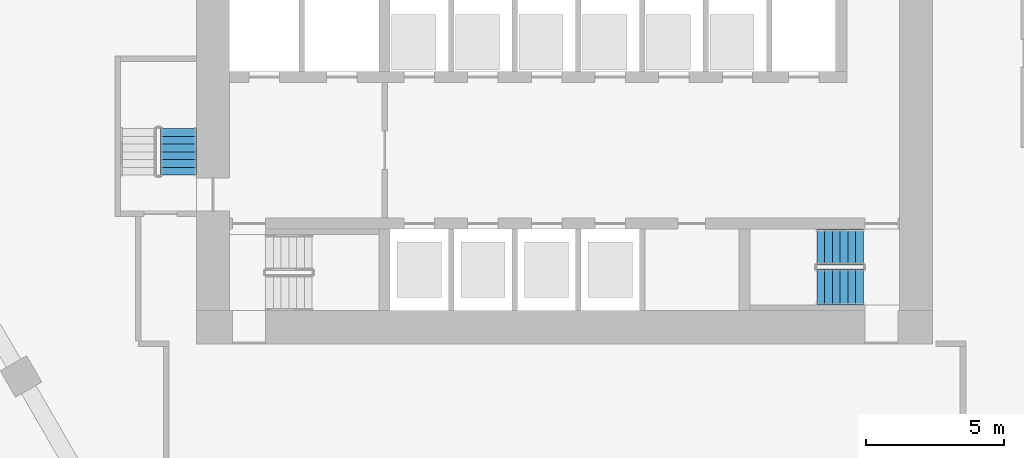
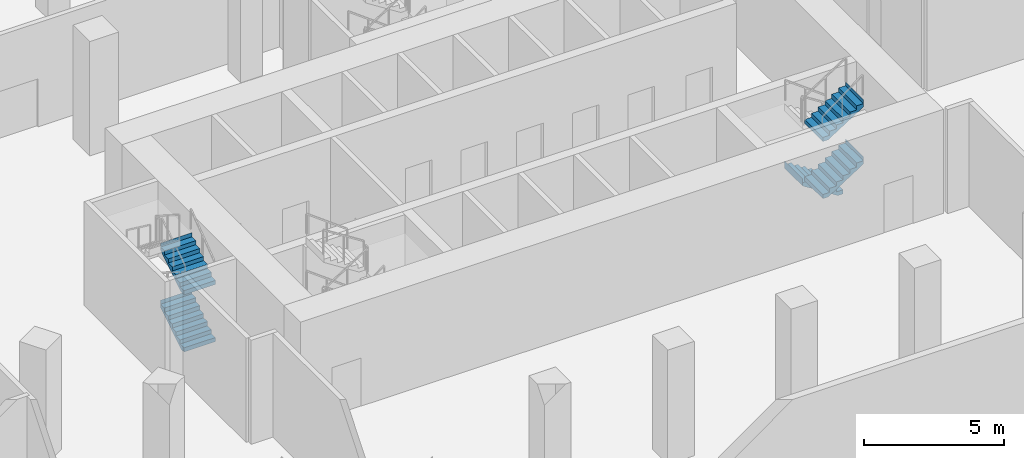
# One storey, part 42 of 57: 5 stair flights, 2 elements without a shape of their own.
"""IFC4 building model written with IfcOpenShell, lengths in metres."""

from ifc_helpers import new_model, si_unit, direction, frame, origin, place, context, subcontext, project, spatial, triangles, material, type_object, element, aggregate, save


model = new_model("IFC4")

# Units and contexts
model_context = context("Model", 3, precision=1e-05, world=origin(), true_north=direction((0.0, 1.0)))
body_context = subcontext(model_context, "Body", "Model", "MODEL_VIEW")
ifc_project = project(units=[si_unit("LENGTHUNIT", "METRE"), si_unit("AREAUNIT", "SQUARE_METRE"), si_unit("VOLUMEUNIT", "CUBIC_METRE"), si_unit("PLANEANGLEUNIT", "RADIAN"), si_unit("MASSUNIT", "GRAM", prefix="KILO")], contexts=[model_context])

# Site, building, storey
site_placement = place(None, origin())
site = spatial("IfcSite", under=ifc_project, at=site_placement, CompositionType="ELEMENT")
building_placement = place(site_placement, origin())
building = spatial("IfcBuilding", under=site, at=building_placement, Name="Beryl Residences", CompositionType="ELEMENT")
storey_placement = place(building_placement, origin())
storey = spatial("IfcBuildingStorey", under=building, at=storey_placement, Name="L00", CompositionType="ELEMENT", Elevation=0.0)

# Stair, stair flights
ifc_material_1 = material(Name="Concrete C40/50", Category="concrete")
stair_type = type_object("IfcStairType", Name="ST1 protected exit stair, half-turn, 1300 mm flights", PredefinedType="HALF_TURN_STAIR", material=ifc_material_1)
stair_1_placement = place(storey_placement, origin())
stair_1 = element("IfcStair", 1, at=stair_1_placement, inside=storey, type_object=stair_type, Name="L00 PROTECTED EXIT STAIR ST-2", PredefinedType="HALF_TURN_STAIR")
ifc_material_2 = material(Name="Concrete C40/50", Category="concrete")
stair_flight_type = type_object("IfcStairFlightType", Name="SF1 stair flight 1300 mm", PredefinedType="STRAIGHT", material=ifc_material_2)
stair_flight_1_placement = place(storey_placement, frame((-13.949951171875, -12.89990234375, 0.0), z_axis=(0.0, 0.0, 1.0), x_axis=(0.0, 1.0, 0.0)))
stair_flight_1 = element("IfcStairFlight", 2, at=stair_flight_1_placement, type_object=stair_flight_type, Name="ST-2 flight 1", NumberOfRisers=7, NumberOfTreads=6, PredefinedType="STRAIGHT", RiserHeight=0.178571429, TreadLength=0.28, context=body_context, shape_type="Tessellation", body=[
    triangles([(0.0, -0.64990234375, 0.0), (0.0, -0.324951171875, 0.0), (0.0, 0.0, 0.0), (0.0, 0.324951171875, 0.0), (0.0, 0.64990234375, 0.0), (0.0, -0.64990234375, 0.178466796875), (0.0, -0.324951171875, 0.178466796875), (0.0, 0.0, 0.178466796875), (0.0, 0.324951171875, 0.178466796875), (0.0, 0.64990234375, 0.178466796875), (0.280029296875, -0.64990234375, 0.178466796875), (0.280029296875, -0.324951171875, 0.178466796875), (0.280029296875, 0.0, 0.178466796875), (0.280029296875, 0.324951171875, 0.178466796875), (0.280029296875, 0.64990234375, 0.178466796875), (0.280029296875, -0.64990234375, 0.357177734375), (0.280029296875, -0.324951171875, 0.357177734375), (0.280029296875, 0.0, 0.357177734375), (0.280029296875, 0.324951171875, 0.357177734375), (0.280029296875, 0.64990234375, 0.357177734375), (0.56005859375, -0.64990234375, 0.357177734375), (0.56005859375, -0.324951171875, 0.357177734375), (0.56005859375, 0.0, 0.357177734375), (0.56005859375, 0.324951171875, 0.357177734375), (0.56005859375, 0.64990234375, 0.357177734375), (0.56005859375, -0.64990234375, 0.53564453125), (0.56005859375, -0.324951171875, 0.53564453125), (0.56005859375, 0.0, 0.53564453125), (0.56005859375, 0.324951171875, 0.53564453125), (0.56005859375, 0.64990234375, 0.53564453125), (0.840087890625, -0.64990234375, 0.53564453125), (0.840087890625, -0.324951171875, 0.53564453125), (0.840087890625, 0.0, 0.53564453125), (0.840087890625, 0.324951171875, 0.53564453125), (0.840087890625, 0.64990234375, 0.53564453125), (0.840087890625, -0.64990234375, 0.71435546875), (0.840087890625, -0.324951171875, 0.71435546875), (0.840087890625, 0.0, 0.71435546875), (0.840087890625, 0.324951171875, 0.71435546875), (0.840087890625, 0.64990234375, 0.71435546875), (1.1201171875, -0.64990234375, 0.71435546875), (1.1201171875, -0.324951171875, 0.71435546875), (1.1201171875, 0.0, 0.71435546875), (1.1201171875, 0.324951171875, 0.71435546875), (1.1201171875, 0.64990234375, 0.71435546875), (1.1201171875, -0.64990234375, 0.892822265625), (1.1201171875, -0.324951171875, 0.892822265625), (1.1201171875, 0.0, 0.892822265625), (1.1201171875, 0.324951171875, 0.892822265625), (1.1201171875, 0.64990234375, 0.892822265625), (1.39990234375, -0.64990234375, 0.892822265625), (1.39990234375, -0.324951171875, 0.892822265625), (1.39990234375, 0.0, 0.892822265625), (1.39990234375, 0.324951171875, 0.892822265625), (1.39990234375, 0.64990234375, 0.892822265625), (1.39990234375, -0.64990234375, 1.071533203125), (1.39990234375, -0.324951171875, 1.071533203125), (1.39990234375, 0.0, 1.071533203125), (1.39990234375, 0.324951171875, 1.071533203125), (1.39990234375, 0.64990234375, 1.071533203125), (1.679931640625, -0.64990234375, 1.071533203125), (1.679931640625, -0.324951171875, 1.071533203125), (1.679931640625, 0.0, 1.071533203125), (1.679931640625, 0.324951171875, 1.071533203125), (1.679931640625, 0.64990234375, 1.071533203125), (1.679931640625, -0.64990234375, 1.25), (1.679931640625, -0.324951171875, 1.25), (1.679931640625, 0.0, 1.25), (1.679931640625, 0.324951171875, 1.25), (1.679931640625, 0.64990234375, 1.25), (1.680908203125, -0.64990234375, 1.25), (1.680908203125, -0.324951171875, 1.25), (1.680908203125, 0.0, 1.25), (1.680908203125, 0.324951171875, 1.25), (1.680908203125, 0.64990234375, 1.25), (1.680908203125, -0.64990234375, 0.928955078125), (1.680908203125, -0.324951171875, 0.928955078125), (1.680908203125, 0.0, 0.928955078125), (1.680908203125, 0.324951171875, 0.928955078125), (1.680908203125, 0.64990234375, 0.928955078125), (0.224365234375, -0.64990234375, 0.0), (0.224365234375, -0.324951171875, 0.0), (0.224365234375, 0.0, 0.0), (0.224365234375, 0.324951171875, 0.0), (0.224365234375, 0.64990234375, 0.0)], [[1, 6, 7], [1, 7, 2], [2, 7, 8], [2, 8, 3], [3, 8, 9], [3, 9, 4], [4, 9, 10], [4, 10, 5], [6, 11, 12], [6, 12, 7], [7, 12, 13], [7, 13, 8], [8, 13, 14], [8, 14, 9], [9, 14, 15], [9, 15, 10], [11, 16, 17], [11, 17, 12], [12, 17, 18], [12, 18, 13], [13, 18, 19], [13, 19, 14], [14, 19, 20], [14, 20, 15], [16, 21, 22], [16, 22, 17], [17, 22, 23], [17, 23, 18], [18, 23, 24], [18, 24, 19], [19, 24, 25], [19, 25, 20], [21, 26, 27], [21, 27, 22], [22, 27, 28], [22, 28, 23], [23, 28, 29], [23, 29, 24], [24, 29, 30], [24, 30, 25], [26, 31, 32], [26, 32, 27], [27, 32, 33], [27, 33, 28], [28, 33, 34], [28, 34, 29], [29, 34, 35], [29, 35, 30], [31, 36, 37], [31, 37, 32], [32, 37, 38], [32, 38, 33], [33, 38, 39], [33, 39, 34], [34, 39, 40], [34, 40, 35], [36, 41, 42], [36, 42, 37], [37, 42, 43], [37, 43, 38], [38, 43, 44], [38, 44, 39], [39, 44, 45], [39, 45, 40], [41, 46, 47], [41, 47, 42], [42, 47, 48], [42, 48, 43], [43, 48, 49], [43, 49, 44], [44, 49, 50], [44, 50, 45], [46, 51, 52], [46, 52, 47], [47, 52, 53], [47, 53, 48], [48, 53, 54], [48, 54, 49], [49, 54, 55], [49, 55, 50], [51, 56, 57], [51, 57, 52], [52, 57, 58], [52, 58, 53], [53, 58, 59], [53, 59, 54], [54, 59, 60], [54, 60, 55], [56, 61, 62], [56, 62, 57], [57, 62, 63], [57, 63, 58], [58, 63, 64], [58, 64, 59], [59, 64, 65], [59, 65, 60], [61, 66, 67], [61, 67, 62], [62, 67, 68], [62, 68, 63], [63, 68, 69], [63, 69, 64], [64, 69, 70], [64, 70, 65], [66, 71, 72], [66, 72, 67], [67, 72, 73], [67, 73, 68], [68, 73, 74], [68, 74, 69], [69, 74, 75], [69, 75, 70], [71, 76, 77], [71, 77, 72], [72, 77, 78], [72, 78, 73], [73, 78, 79], [73, 79, 74], [74, 79, 80], [74, 80, 75], [76, 81, 82], [76, 82, 77], [77, 82, 83], [77, 83, 78], [78, 83, 84], [78, 84, 79], [79, 84, 85], [79, 85, 80], [81, 1, 2], [81, 2, 82], [82, 2, 3], [82, 3, 83], [83, 3, 4], [83, 4, 84], [84, 4, 5], [84, 5, 85], [1, 81, 76], [5, 80, 85], [76, 71, 66], [80, 70, 75], [76, 66, 61], [80, 65, 70], [76, 61, 56], [80, 60, 65], [76, 56, 51], [80, 55, 60], [51, 46, 41], [55, 45, 50], [76, 51, 41], [80, 45, 55], [41, 36, 31], [45, 35, 40], [76, 41, 31], [80, 35, 45], [31, 26, 21], [35, 25, 30], [76, 31, 21], [80, 25, 35], [21, 16, 11], [25, 15, 20], [76, 21, 11], [80, 15, 25], [1, 76, 11], [5, 15, 80], [11, 6, 1], [15, 5, 10]], closed=True),
])
stair_flight_2_placement = place(storey_placement, frame((-13.949951171875, -12.89990234375, 2.5), z_axis=(0.0, 0.0, 1.0), x_axis=(0.0, 1.0, 0.0)))
stair_flight_2 = element("IfcStairFlight", 3, at=stair_flight_2_placement, type_object=stair_flight_type, Name="ST-2 flight 3", NumberOfRisers=7, NumberOfTreads=6, PredefinedType="STRAIGHT", RiserHeight=0.178571429, TreadLength=0.28, context=body_context, shape_type="Tessellation", body=[
    triangles([(0.0, -0.64990234375, 0.0), (0.0, -0.324951171875, 0.0), (0.0, 0.0, 0.0), (0.0, 0.324951171875, 0.0), (0.0, 0.64990234375, 0.0), (0.0, -0.64990234375, 0.178466796875), (0.0, -0.324951171875, 0.178466796875), (0.0, 0.0, 0.178466796875), (0.0, 0.324951171875, 0.178466796875), (0.0, 0.64990234375, 0.178466796875), (0.280029296875, -0.64990234375, 0.178466796875), (0.280029296875, -0.324951171875, 0.178466796875), (0.280029296875, 0.0, 0.178466796875), (0.280029296875, 0.324951171875, 0.178466796875), (0.280029296875, 0.64990234375, 0.178466796875), (0.280029296875, -0.64990234375, 0.357177734375), (0.280029296875, -0.324951171875, 0.357177734375), (0.280029296875, 0.0, 0.357177734375), (0.280029296875, 0.324951171875, 0.357177734375), (0.280029296875, 0.64990234375, 0.357177734375), (0.56005859375, -0.64990234375, 0.357177734375), (0.56005859375, -0.324951171875, 0.357177734375), (0.56005859375, 0.0, 0.357177734375), (0.56005859375, 0.324951171875, 0.357177734375), (0.56005859375, 0.64990234375, 0.357177734375), (0.56005859375, -0.64990234375, 0.53564453125), (0.56005859375, -0.324951171875, 0.53564453125), (0.56005859375, 0.0, 0.53564453125), (0.56005859375, 0.324951171875, 0.53564453125), (0.56005859375, 0.64990234375, 0.53564453125), (0.840087890625, -0.64990234375, 0.53564453125), (0.840087890625, -0.324951171875, 0.53564453125), (0.840087890625, 0.0, 0.53564453125), (0.840087890625, 0.324951171875, 0.53564453125), (0.840087890625, 0.64990234375, 0.53564453125), (0.840087890625, -0.64990234375, 0.71435546875), (0.840087890625, -0.324951171875, 0.71435546875), (0.840087890625, 0.0, 0.71435546875), (0.840087890625, 0.324951171875, 0.71435546875), (0.840087890625, 0.64990234375, 0.71435546875), (1.1201171875, -0.64990234375, 0.71435546875), (1.1201171875, -0.324951171875, 0.71435546875), (1.1201171875, 0.0, 0.71435546875), (1.1201171875, 0.324951171875, 0.71435546875), (1.1201171875, 0.64990234375, 0.71435546875), (1.1201171875, -0.64990234375, 0.892822265625), (1.1201171875, -0.324951171875, 0.892822265625), (1.1201171875, 0.0, 0.892822265625), (1.1201171875, 0.324951171875, 0.892822265625), (1.1201171875, 0.64990234375, 0.892822265625), (1.39990234375, -0.64990234375, 0.892822265625), (1.39990234375, -0.324951171875, 0.892822265625), (1.39990234375, 0.0, 0.892822265625), (1.39990234375, 0.324951171875, 0.892822265625), (1.39990234375, 0.64990234375, 0.892822265625), (1.39990234375, -0.64990234375, 1.071533203125), (1.39990234375, -0.324951171875, 1.071533203125), (1.39990234375, 0.0, 1.071533203125), (1.39990234375, 0.324951171875, 1.071533203125), (1.39990234375, 0.64990234375, 1.071533203125), (1.679931640625, -0.64990234375, 1.071533203125), (1.679931640625, -0.324951171875, 1.071533203125), (1.679931640625, 0.0, 1.071533203125), (1.679931640625, 0.324951171875, 1.071533203125), (1.679931640625, 0.64990234375, 1.071533203125), (1.679931640625, -0.64990234375, 1.25), (1.679931640625, -0.324951171875, 1.25), (1.679931640625, 0.0, 1.25), (1.679931640625, 0.324951171875, 1.25), (1.679931640625, 0.64990234375, 1.25), (1.680908203125, -0.64990234375, 1.25), (1.680908203125, -0.324951171875, 1.25), (1.680908203125, 0.0, 1.25), (1.680908203125, 0.324951171875, 1.25), (1.680908203125, 0.64990234375, 1.25), (1.680908203125, -0.64990234375, 0.928955078125), (1.680908203125, -0.324951171875, 0.928955078125), (1.680908203125, 0.0, 0.928955078125), (1.680908203125, 0.324951171875, 0.928955078125), (1.680908203125, 0.64990234375, 0.928955078125), (0.224365234375, -0.64990234375, 0.0), (0.224365234375, -0.324951171875, 0.0), (0.224365234375, 0.0, 0.0), (0.224365234375, 0.324951171875, 0.0), (0.224365234375, 0.64990234375, 0.0)], [[1, 6, 7], [1, 7, 2], [2, 7, 8], [2, 8, 3], [3, 8, 9], [3, 9, 4], [4, 9, 10], [4, 10, 5], [6, 11, 12], [6, 12, 7], [7, 12, 13], [7, 13, 8], [8, 13, 14], [8, 14, 9], [9, 14, 15], [9, 15, 10], [11, 16, 17], [11, 17, 12], [12, 17, 18], [12, 18, 13], [13, 18, 19], [13, 19, 14], [14, 19, 20], [14, 20, 15], [16, 21, 22], [16, 22, 17], [17, 22, 23], [17, 23, 18], [18, 23, 24], [18, 24, 19], [19, 24, 25], [19, 25, 20], [21, 26, 27], [21, 27, 22], [22, 27, 28], [22, 28, 23], [23, 28, 29], [23, 29, 24], [24, 29, 30], [24, 30, 25], [26, 31, 32], [26, 32, 27], [27, 32, 33], [27, 33, 28], [28, 33, 34], [28, 34, 29], [29, 34, 35], [29, 35, 30], [31, 36, 37], [31, 37, 32], [32, 37, 38], [32, 38, 33], [33, 38, 39], [33, 39, 34], [34, 39, 40], [34, 40, 35], [36, 41, 42], [36, 42, 37], [37, 42, 43], [37, 43, 38], [38, 43, 44], [38, 44, 39], [39, 44, 45], [39, 45, 40], [41, 46, 47], [41, 47, 42], [42, 47, 48], [42, 48, 43], [43, 48, 49], [43, 49, 44], [44, 49, 50], [44, 50, 45], [46, 51, 52], [46, 52, 47], [47, 52, 53], [47, 53, 48], [48, 53, 54], [48, 54, 49], [49, 54, 55], [49, 55, 50], [51, 56, 57], [51, 57, 52], [52, 57, 58], [52, 58, 53], [53, 58, 59], [53, 59, 54], [54, 59, 60], [54, 60, 55], [56, 61, 62], [56, 62, 57], [57, 62, 63], [57, 63, 58], [58, 63, 64], [58, 64, 59], [59, 64, 65], [59, 65, 60], [61, 66, 67], [61, 67, 62], [62, 67, 68], [62, 68, 63], [63, 68, 69], [63, 69, 64], [64, 69, 70], [64, 70, 65], [66, 71, 72], [66, 72, 67], [67, 72, 73], [67, 73, 68], [68, 73, 74], [68, 74, 69], [69, 74, 75], [69, 75, 70], [71, 76, 77], [71, 77, 72], [72, 77, 78], [72, 78, 73], [73, 78, 79], [73, 79, 74], [74, 79, 80], [74, 80, 75], [76, 81, 82], [76, 82, 77], [77, 82, 83], [77, 83, 78], [78, 83, 84], [78, 84, 79], [79, 84, 85], [79, 85, 80], [81, 1, 2], [81, 2, 82], [82, 2, 3], [82, 3, 83], [83, 3, 4], [83, 4, 84], [84, 4, 5], [84, 5, 85], [1, 81, 76], [5, 80, 85], [76, 71, 66], [80, 70, 75], [76, 66, 61], [80, 65, 70], [76, 61, 56], [80, 60, 65], [76, 56, 51], [80, 55, 60], [51, 46, 41], [55, 45, 50], [76, 51, 41], [80, 45, 55], [41, 36, 31], [45, 35, 40], [76, 41, 31], [80, 35, 45], [31, 26, 21], [35, 25, 30], [76, 31, 21], [80, 25, 35], [21, 16, 11], [25, 15, 20], [76, 21, 11], [80, 15, 25], [1, 76, 11], [5, 15, 80], [11, 6, 1], [15, 5, 10]], closed=True),
])
aggregate(stair_1, [stair_flight_1, stair_flight_2])

stair_2_placement = place(storey_placement, origin())
stair_2 = element("IfcStair", 4, at=stair_2_placement, inside=storey, type_object=stair_type, Name="L00 PROTECTED EXIT STAIR ST-3", PredefinedType="HALF_TURN_STAIR")
stair_flight_3_placement = place(storey_placement, frame((10.800048828125, -15.5, 0.0), z_axis=(0.0, 0.0, 1.0), x_axis=(-1.0, 0.0, 0.0)))
stair_flight_3 = element("IfcStairFlight", 5, at=stair_flight_3_placement, type_object=stair_flight_type, Name="ST-3 flight 1", NumberOfRisers=7, NumberOfTreads=6, PredefinedType="STRAIGHT", RiserHeight=0.178571429, TreadLength=0.28, context=body_context, shape_type="Tessellation", body=[
    triangles([(0.0, -0.64990234375, 0.0), (0.0, -0.324951171875, 0.0), (0.0, 0.0, 0.0), (0.0, 0.324951171875, 0.0), (0.0, 0.64990234375, 0.0), (0.0, -0.64990234375, 0.178466796875), (0.0, -0.324951171875, 0.178466796875), (0.0, 0.0, 0.178466796875), (0.0, 0.324951171875, 0.178466796875), (0.0, 0.64990234375, 0.178466796875), (0.280029296875, -0.64990234375, 0.178466796875), (0.280029296875, -0.324951171875, 0.178466796875), (0.280029296875, 0.0, 0.178466796875), (0.280029296875, 0.324951171875, 0.178466796875), (0.280029296875, 0.64990234375, 0.178466796875), (0.280029296875, -0.64990234375, 0.357177734375), (0.280029296875, -0.324951171875, 0.357177734375), (0.280029296875, 0.0, 0.357177734375), (0.280029296875, 0.324951171875, 0.357177734375), (0.280029296875, 0.64990234375, 0.357177734375), (0.56005859375, -0.64990234375, 0.357177734375), (0.56005859375, -0.324951171875, 0.357177734375), (0.56005859375, 0.0, 0.357177734375), (0.56005859375, 0.324951171875, 0.357177734375), (0.56005859375, 0.64990234375, 0.357177734375), (0.56005859375, -0.64990234375, 0.53564453125), (0.56005859375, -0.324951171875, 0.53564453125), (0.56005859375, 0.0, 0.53564453125), (0.56005859375, 0.324951171875, 0.53564453125), (0.56005859375, 0.64990234375, 0.53564453125), (0.840087890625, -0.64990234375, 0.53564453125), (0.840087890625, -0.324951171875, 0.53564453125), (0.840087890625, 0.0, 0.53564453125), (0.840087890625, 0.324951171875, 0.53564453125), (0.840087890625, 0.64990234375, 0.53564453125), (0.840087890625, -0.64990234375, 0.71435546875), (0.840087890625, -0.324951171875, 0.71435546875), (0.840087890625, 0.0, 0.71435546875), (0.840087890625, 0.324951171875, 0.71435546875), (0.840087890625, 0.64990234375, 0.71435546875), (1.1201171875, -0.64990234375, 0.71435546875), (1.1201171875, -0.324951171875, 0.71435546875), (1.1201171875, 0.0, 0.71435546875), (1.1201171875, 0.324951171875, 0.71435546875), (1.1201171875, 0.64990234375, 0.71435546875), (1.1201171875, -0.64990234375, 0.892822265625), (1.1201171875, -0.324951171875, 0.892822265625), (1.1201171875, 0.0, 0.892822265625), (1.1201171875, 0.324951171875, 0.892822265625), (1.1201171875, 0.64990234375, 0.892822265625), (1.39990234375, -0.64990234375, 0.892822265625), (1.39990234375, -0.324951171875, 0.892822265625), (1.39990234375, 0.0, 0.892822265625), (1.39990234375, 0.324951171875, 0.892822265625), (1.39990234375, 0.64990234375, 0.892822265625), (1.39990234375, -0.64990234375, 1.071533203125), (1.39990234375, -0.324951171875, 1.071533203125), (1.39990234375, 0.0, 1.071533203125), (1.39990234375, 0.324951171875, 1.071533203125), (1.39990234375, 0.64990234375, 1.071533203125), (1.679931640625, -0.64990234375, 1.071533203125), (1.679931640625, -0.324951171875, 1.071533203125), (1.679931640625, 0.0, 1.071533203125), (1.679931640625, 0.324951171875, 1.071533203125), (1.679931640625, 0.64990234375, 1.071533203125), (1.679931640625, -0.64990234375, 1.25), (1.679931640625, -0.324951171875, 1.25), (1.679931640625, 0.0, 1.25), (1.679931640625, 0.324951171875, 1.25), (1.679931640625, 0.64990234375, 1.25), (1.680908203125, -0.64990234375, 1.25), (1.680908203125, -0.324951171875, 1.25), (1.680908203125, 0.0, 1.25), (1.680908203125, 0.324951171875, 1.25), (1.680908203125, 0.64990234375, 1.25), (1.680908203125, -0.64990234375, 0.928955078125), (1.680908203125, -0.324951171875, 0.928955078125), (1.680908203125, 0.0, 0.928955078125), (1.680908203125, 0.324951171875, 0.928955078125), (1.680908203125, 0.64990234375, 0.928955078125), (0.224365234375, -0.64990234375, 0.0), (0.224365234375, -0.324951171875, 0.0), (0.224365234375, 0.0, 0.0), (0.224365234375, 0.324951171875, 0.0), (0.224365234375, 0.64990234375, 0.0)], [[1, 6, 7], [1, 7, 2], [2, 7, 8], [2, 8, 3], [3, 8, 9], [3, 9, 4], [4, 9, 10], [4, 10, 5], [6, 11, 12], [6, 12, 7], [7, 12, 13], [7, 13, 8], [8, 13, 14], [8, 14, 9], [9, 14, 15], [9, 15, 10], [11, 16, 17], [11, 17, 12], [12, 17, 18], [12, 18, 13], [13, 18, 19], [13, 19, 14], [14, 19, 20], [14, 20, 15], [16, 21, 22], [16, 22, 17], [17, 22, 23], [17, 23, 18], [18, 23, 24], [18, 24, 19], [19, 24, 25], [19, 25, 20], [21, 26, 27], [21, 27, 22], [22, 27, 28], [22, 28, 23], [23, 28, 29], [23, 29, 24], [24, 29, 30], [24, 30, 25], [26, 31, 32], [26, 32, 27], [27, 32, 33], [27, 33, 28], [28, 33, 34], [28, 34, 29], [29, 34, 35], [29, 35, 30], [31, 36, 37], [31, 37, 32], [32, 37, 38], [32, 38, 33], [33, 38, 39], [33, 39, 34], [34, 39, 40], [34, 40, 35], [36, 41, 42], [36, 42, 37], [37, 42, 43], [37, 43, 38], [38, 43, 44], [38, 44, 39], [39, 44, 45], [39, 45, 40], [41, 46, 47], [41, 47, 42], [42, 47, 48], [42, 48, 43], [43, 48, 49], [43, 49, 44], [44, 49, 50], [44, 50, 45], [46, 51, 52], [46, 52, 47], [47, 52, 53], [47, 53, 48], [48, 53, 54], [48, 54, 49], [49, 54, 55], [49, 55, 50], [51, 56, 57], [51, 57, 52], [52, 57, 58], [52, 58, 53], [53, 58, 59], [53, 59, 54], [54, 59, 60], [54, 60, 55], [56, 61, 62], [56, 62, 57], [57, 62, 63], [57, 63, 58], [58, 63, 64], [58, 64, 59], [59, 64, 65], [59, 65, 60], [61, 66, 67], [61, 67, 62], [62, 67, 68], [62, 68, 63], [63, 68, 69], [63, 69, 64], [64, 69, 70], [64, 70, 65], [66, 71, 72], [66, 72, 67], [67, 72, 73], [67, 73, 68], [68, 73, 74], [68, 74, 69], [69, 74, 75], [69, 75, 70], [71, 76, 77], [71, 77, 72], [72, 77, 78], [72, 78, 73], [73, 78, 79], [73, 79, 74], [74, 79, 80], [74, 80, 75], [76, 81, 82], [76, 82, 77], [77, 82, 83], [77, 83, 78], [78, 83, 84], [78, 84, 79], [79, 84, 85], [79, 85, 80], [81, 1, 2], [81, 2, 82], [82, 2, 3], [82, 3, 83], [83, 3, 4], [83, 4, 84], [84, 4, 5], [84, 5, 85], [1, 81, 76], [5, 80, 85], [76, 71, 66], [80, 70, 75], [76, 66, 61], [80, 65, 70], [76, 61, 56], [80, 60, 65], [76, 56, 51], [80, 55, 60], [51, 46, 41], [55, 45, 50], [76, 51, 41], [80, 45, 55], [41, 36, 31], [45, 35, 40], [76, 41, 31], [80, 35, 45], [31, 26, 21], [35, 25, 30], [76, 31, 21], [80, 25, 35], [21, 16, 11], [25, 15, 20], [76, 21, 11], [80, 15, 25], [1, 76, 11], [5, 15, 80], [11, 6, 1], [15, 5, 10]], closed=True),
])
stair_flight_4_placement = place(storey_placement, frame((9.1201171875, -16.949951171875, 1.25), z_axis=(0.0, 0.0, 1.0), x_axis=(1.0, 0.0, 0.0)))
stair_flight_4 = element("IfcStairFlight", 6, at=stair_flight_4_placement, type_object=stair_flight_type, Name="ST-3 flight 2", NumberOfRisers=7, NumberOfTreads=6, PredefinedType="STRAIGHT", RiserHeight=0.178571429, TreadLength=0.28, context=body_context, shape_type="Tessellation", body=[
    triangles([(0.0, -0.64990234375, 0.0), (0.0, -0.324951171875, 0.0), (0.0, 0.0, 0.0), (0.0, 0.324951171875, 0.0), (0.0, 0.64990234375, 0.0), (0.0, -0.64990234375, 0.178466796875), (0.0, -0.324951171875, 0.178466796875), (0.0, 0.0, 0.178466796875), (0.0, 0.324951171875, 0.178466796875), (0.0, 0.64990234375, 0.178466796875), (0.280029296875, -0.64990234375, 0.178466796875), (0.280029296875, -0.324951171875, 0.178466796875), (0.280029296875, 0.0, 0.178466796875), (0.280029296875, 0.324951171875, 0.178466796875), (0.280029296875, 0.64990234375, 0.178466796875), (0.280029296875, -0.64990234375, 0.357177734375), (0.280029296875, -0.324951171875, 0.357177734375), (0.280029296875, 0.0, 0.357177734375), (0.280029296875, 0.324951171875, 0.357177734375), (0.280029296875, 0.64990234375, 0.357177734375), (0.56005859375, -0.64990234375, 0.357177734375), (0.56005859375, -0.324951171875, 0.357177734375), (0.56005859375, 0.0, 0.357177734375), (0.56005859375, 0.324951171875, 0.357177734375), (0.56005859375, 0.64990234375, 0.357177734375), (0.56005859375, -0.64990234375, 0.53564453125), (0.56005859375, -0.324951171875, 0.53564453125), (0.56005859375, 0.0, 0.53564453125), (0.56005859375, 0.324951171875, 0.53564453125), (0.56005859375, 0.64990234375, 0.53564453125), (0.840087890625, -0.64990234375, 0.53564453125), (0.840087890625, -0.324951171875, 0.53564453125), (0.840087890625, 0.0, 0.53564453125), (0.840087890625, 0.324951171875, 0.53564453125), (0.840087890625, 0.64990234375, 0.53564453125), (0.840087890625, -0.64990234375, 0.71435546875), (0.840087890625, -0.324951171875, 0.71435546875), (0.840087890625, 0.0, 0.71435546875), (0.840087890625, 0.324951171875, 0.71435546875), (0.840087890625, 0.64990234375, 0.71435546875), (1.1201171875, -0.64990234375, 0.71435546875), (1.1201171875, -0.324951171875, 0.71435546875), (1.1201171875, 0.0, 0.71435546875), (1.1201171875, 0.324951171875, 0.71435546875), (1.1201171875, 0.64990234375, 0.71435546875), (1.1201171875, -0.64990234375, 0.892822265625), (1.1201171875, -0.324951171875, 0.892822265625), (1.1201171875, 0.0, 0.892822265625), (1.1201171875, 0.324951171875, 0.892822265625), (1.1201171875, 0.64990234375, 0.892822265625), (1.39990234375, -0.64990234375, 0.892822265625), (1.39990234375, -0.324951171875, 0.892822265625), (1.39990234375, 0.0, 0.892822265625), (1.39990234375, 0.324951171875, 0.892822265625), (1.39990234375, 0.64990234375, 0.892822265625), (1.39990234375, -0.64990234375, 1.071533203125), (1.39990234375, -0.324951171875, 1.071533203125), (1.39990234375, 0.0, 1.071533203125), (1.39990234375, 0.324951171875, 1.071533203125), (1.39990234375, 0.64990234375, 1.071533203125), (1.679931640625, -0.64990234375, 1.071533203125), (1.679931640625, -0.324951171875, 1.071533203125), (1.679931640625, 0.0, 1.071533203125), (1.679931640625, 0.324951171875, 1.071533203125), (1.679931640625, 0.64990234375, 1.071533203125), (1.679931640625, -0.64990234375, 1.25), (1.679931640625, -0.324951171875, 1.25), (1.679931640625, 0.0, 1.25), (1.679931640625, 0.324951171875, 1.25), (1.679931640625, 0.64990234375, 1.25), (1.680908203125, -0.64990234375, 1.25), (1.680908203125, -0.324951171875, 1.25), (1.680908203125, 0.0, 1.25), (1.680908203125, 0.324951171875, 1.25), (1.680908203125, 0.64990234375, 1.25), (1.680908203125, -0.64990234375, 0.928955078125), (1.680908203125, -0.324951171875, 0.928955078125), (1.680908203125, 0.0, 0.928955078125), (1.680908203125, 0.324951171875, 0.928955078125), (1.680908203125, 0.64990234375, 0.928955078125), (0.224365234375, -0.64990234375, 0.0), (0.224365234375, -0.324951171875, 0.0), (0.224365234375, 0.0, 0.0), (0.224365234375, 0.324951171875, 0.0), (0.224365234375, 0.64990234375, 0.0)], [[1, 6, 7], [1, 7, 2], [2, 7, 8], [2, 8, 3], [3, 8, 9], [3, 9, 4], [4, 9, 10], [4, 10, 5], [6, 11, 12], [6, 12, 7], [7, 12, 13], [7, 13, 8], [8, 13, 14], [8, 14, 9], [9, 14, 15], [9, 15, 10], [11, 16, 17], [11, 17, 12], [12, 17, 18], [12, 18, 13], [13, 18, 19], [13, 19, 14], [14, 19, 20], [14, 20, 15], [16, 21, 22], [16, 22, 17], [17, 22, 23], [17, 23, 18], [18, 23, 24], [18, 24, 19], [19, 24, 25], [19, 25, 20], [21, 26, 27], [21, 27, 22], [22, 27, 28], [22, 28, 23], [23, 28, 29], [23, 29, 24], [24, 29, 30], [24, 30, 25], [26, 31, 32], [26, 32, 27], [27, 32, 33], [27, 33, 28], [28, 33, 34], [28, 34, 29], [29, 34, 35], [29, 35, 30], [31, 36, 37], [31, 37, 32], [32, 37, 38], [32, 38, 33], [33, 38, 39], [33, 39, 34], [34, 39, 40], [34, 40, 35], [36, 41, 42], [36, 42, 37], [37, 42, 43], [37, 43, 38], [38, 43, 44], [38, 44, 39], [39, 44, 45], [39, 45, 40], [41, 46, 47], [41, 47, 42], [42, 47, 48], [42, 48, 43], [43, 48, 49], [43, 49, 44], [44, 49, 50], [44, 50, 45], [46, 51, 52], [46, 52, 47], [47, 52, 53], [47, 53, 48], [48, 53, 54], [48, 54, 49], [49, 54, 55], [49, 55, 50], [51, 56, 57], [51, 57, 52], [52, 57, 58], [52, 58, 53], [53, 58, 59], [53, 59, 54], [54, 59, 60], [54, 60, 55], [56, 61, 62], [56, 62, 57], [57, 62, 63], [57, 63, 58], [58, 63, 64], [58, 64, 59], [59, 64, 65], [59, 65, 60], [61, 66, 67], [61, 67, 62], [62, 67, 68], [62, 68, 63], [63, 68, 69], [63, 69, 64], [64, 69, 70], [64, 70, 65], [66, 71, 72], [66, 72, 67], [67, 72, 73], [67, 73, 68], [68, 73, 74], [68, 74, 69], [69, 74, 75], [69, 75, 70], [71, 76, 77], [71, 77, 72], [72, 77, 78], [72, 78, 73], [73, 78, 79], [73, 79, 74], [74, 79, 80], [74, 80, 75], [76, 81, 82], [76, 82, 77], [77, 82, 83], [77, 83, 78], [78, 83, 84], [78, 84, 79], [79, 84, 85], [79, 85, 80], [81, 1, 2], [81, 2, 82], [82, 2, 3], [82, 3, 83], [83, 3, 4], [83, 4, 84], [84, 4, 5], [84, 5, 85], [1, 81, 76], [5, 80, 85], [76, 71, 66], [80, 70, 75], [76, 66, 61], [80, 65, 70], [76, 61, 56], [80, 60, 65], [76, 56, 51], [80, 55, 60], [51, 46, 41], [55, 45, 50], [76, 51, 41], [80, 45, 55], [41, 36, 31], [45, 35, 40], [76, 41, 31], [80, 35, 45], [31, 26, 21], [35, 25, 30], [76, 31, 21], [80, 25, 35], [21, 16, 11], [25, 15, 20], [76, 21, 11], [80, 15, 25], [1, 76, 11], [5, 15, 80], [11, 6, 1], [15, 5, 10]], closed=True),
])
stair_flight_5_placement = place(storey_placement, frame((9.1201171875, -16.949951171875, 3.75), z_axis=(0.0, 0.0, 1.0), x_axis=(1.0, 0.0, 0.0)))
stair_flight_5 = element("IfcStairFlight", 7, at=stair_flight_5_placement, type_object=stair_flight_type, Name="ST-3 flight 4", NumberOfRisers=7, NumberOfTreads=6, PredefinedType="STRAIGHT", RiserHeight=0.178571429, TreadLength=0.28, context=body_context, shape_type="Tessellation", body=[
    triangles([(0.0, -0.64990234375, 0.0), (0.0, -0.324951171875, 0.0), (0.0, 0.0, 0.0), (0.0, 0.324951171875, 0.0), (0.0, 0.64990234375, 0.0), (0.0, -0.64990234375, 0.178466796875), (0.0, -0.324951171875, 0.178466796875), (0.0, 0.0, 0.178466796875), (0.0, 0.324951171875, 0.178466796875), (0.0, 0.64990234375, 0.178466796875), (0.280029296875, -0.64990234375, 0.178466796875), (0.280029296875, -0.324951171875, 0.178466796875), (0.280029296875, 0.0, 0.178466796875), (0.280029296875, 0.324951171875, 0.178466796875), (0.280029296875, 0.64990234375, 0.178466796875), (0.280029296875, -0.64990234375, 0.357177734375), (0.280029296875, -0.324951171875, 0.357177734375), (0.280029296875, 0.0, 0.357177734375), (0.280029296875, 0.324951171875, 0.357177734375), (0.280029296875, 0.64990234375, 0.357177734375), (0.56005859375, -0.64990234375, 0.357177734375), (0.56005859375, -0.324951171875, 0.357177734375), (0.56005859375, 0.0, 0.357177734375), (0.56005859375, 0.324951171875, 0.357177734375), (0.56005859375, 0.64990234375, 0.357177734375), (0.56005859375, -0.64990234375, 0.53564453125), (0.56005859375, -0.324951171875, 0.53564453125), (0.56005859375, 0.0, 0.53564453125), (0.56005859375, 0.324951171875, 0.53564453125), (0.56005859375, 0.64990234375, 0.53564453125), (0.840087890625, -0.64990234375, 0.53564453125), (0.840087890625, -0.324951171875, 0.53564453125), (0.840087890625, 0.0, 0.53564453125), (0.840087890625, 0.324951171875, 0.53564453125), (0.840087890625, 0.64990234375, 0.53564453125), (0.840087890625, -0.64990234375, 0.71435546875), (0.840087890625, -0.324951171875, 0.71435546875), (0.840087890625, 0.0, 0.71435546875), (0.840087890625, 0.324951171875, 0.71435546875), (0.840087890625, 0.64990234375, 0.71435546875), (1.1201171875, -0.64990234375, 0.71435546875), (1.1201171875, -0.324951171875, 0.71435546875), (1.1201171875, 0.0, 0.71435546875), (1.1201171875, 0.324951171875, 0.71435546875), (1.1201171875, 0.64990234375, 0.71435546875), (1.1201171875, -0.64990234375, 0.892822265625), (1.1201171875, -0.324951171875, 0.892822265625), (1.1201171875, 0.0, 0.892822265625), (1.1201171875, 0.324951171875, 0.892822265625), (1.1201171875, 0.64990234375, 0.892822265625), (1.39990234375, -0.64990234375, 0.892822265625), (1.39990234375, -0.324951171875, 0.892822265625), (1.39990234375, 0.0, 0.892822265625), (1.39990234375, 0.324951171875, 0.892822265625), (1.39990234375, 0.64990234375, 0.892822265625), (1.39990234375, -0.64990234375, 1.071533203125), (1.39990234375, -0.324951171875, 1.071533203125), (1.39990234375, 0.0, 1.071533203125), (1.39990234375, 0.324951171875, 1.071533203125), (1.39990234375, 0.64990234375, 1.071533203125), (1.679931640625, -0.64990234375, 1.071533203125), (1.679931640625, -0.324951171875, 1.071533203125), (1.679931640625, 0.0, 1.071533203125), (1.679931640625, 0.324951171875, 1.071533203125), (1.679931640625, 0.64990234375, 1.071533203125), (1.679931640625, -0.64990234375, 1.25), (1.679931640625, -0.324951171875, 1.25), (1.679931640625, 0.0, 1.25), (1.679931640625, 0.324951171875, 1.25), (1.679931640625, 0.64990234375, 1.25), (1.680908203125, -0.64990234375, 1.25), (1.680908203125, -0.324951171875, 1.25), (1.680908203125, 0.0, 1.25), (1.680908203125, 0.324951171875, 1.25), (1.680908203125, 0.64990234375, 1.25), (1.680908203125, -0.64990234375, 0.928955078125), (1.680908203125, -0.324951171875, 0.928955078125), (1.680908203125, 0.0, 0.928955078125), (1.680908203125, 0.324951171875, 0.928955078125), (1.680908203125, 0.64990234375, 0.928955078125), (0.224365234375, -0.64990234375, 0.0), (0.224365234375, -0.324951171875, 0.0), (0.224365234375, 0.0, 0.0), (0.224365234375, 0.324951171875, 0.0), (0.224365234375, 0.64990234375, 0.0)], [[1, 6, 7], [1, 7, 2], [2, 7, 8], [2, 8, 3], [3, 8, 9], [3, 9, 4], [4, 9, 10], [4, 10, 5], [6, 11, 12], [6, 12, 7], [7, 12, 13], [7, 13, 8], [8, 13, 14], [8, 14, 9], [9, 14, 15], [9, 15, 10], [11, 16, 17], [11, 17, 12], [12, 17, 18], [12, 18, 13], [13, 18, 19], [13, 19, 14], [14, 19, 20], [14, 20, 15], [16, 21, 22], [16, 22, 17], [17, 22, 23], [17, 23, 18], [18, 23, 24], [18, 24, 19], [19, 24, 25], [19, 25, 20], [21, 26, 27], [21, 27, 22], [22, 27, 28], [22, 28, 23], [23, 28, 29], [23, 29, 24], [24, 29, 30], [24, 30, 25], [26, 31, 32], [26, 32, 27], [27, 32, 33], [27, 33, 28], [28, 33, 34], [28, 34, 29], [29, 34, 35], [29, 35, 30], [31, 36, 37], [31, 37, 32], [32, 37, 38], [32, 38, 33], [33, 38, 39], [33, 39, 34], [34, 39, 40], [34, 40, 35], [36, 41, 42], [36, 42, 37], [37, 42, 43], [37, 43, 38], [38, 43, 44], [38, 44, 39], [39, 44, 45], [39, 45, 40], [41, 46, 47], [41, 47, 42], [42, 47, 48], [42, 48, 43], [43, 48, 49], [43, 49, 44], [44, 49, 50], [44, 50, 45], [46, 51, 52], [46, 52, 47], [47, 52, 53], [47, 53, 48], [48, 53, 54], [48, 54, 49], [49, 54, 55], [49, 55, 50], [51, 56, 57], [51, 57, 52], [52, 57, 58], [52, 58, 53], [53, 58, 59], [53, 59, 54], [54, 59, 60], [54, 60, 55], [56, 61, 62], [56, 62, 57], [57, 62, 63], [57, 63, 58], [58, 63, 64], [58, 64, 59], [59, 64, 65], [59, 65, 60], [61, 66, 67], [61, 67, 62], [62, 67, 68], [62, 68, 63], [63, 68, 69], [63, 69, 64], [64, 69, 70], [64, 70, 65], [66, 71, 72], [66, 72, 67], [67, 72, 73], [67, 73, 68], [68, 73, 74], [68, 74, 69], [69, 74, 75], [69, 75, 70], [71, 76, 77], [71, 77, 72], [72, 77, 78], [72, 78, 73], [73, 78, 79], [73, 79, 74], [74, 79, 80], [74, 80, 75], [76, 81, 82], [76, 82, 77], [77, 82, 83], [77, 83, 78], [78, 83, 84], [78, 84, 79], [79, 84, 85], [79, 85, 80], [81, 1, 2], [81, 2, 82], [82, 2, 3], [82, 3, 83], [83, 3, 4], [83, 4, 84], [84, 4, 5], [84, 5, 85], [1, 81, 76], [5, 80, 85], [76, 71, 66], [80, 70, 75], [76, 66, 61], [80, 65, 70], [76, 61, 56], [80, 60, 65], [76, 56, 51], [80, 55, 60], [51, 46, 41], [55, 45, 50], [76, 51, 41], [80, 45, 55], [41, 36, 31], [45, 35, 40], [76, 41, 31], [80, 35, 45], [31, 26, 21], [35, 25, 30], [76, 31, 21], [80, 25, 35], [21, 16, 11], [25, 15, 20], [76, 21, 11], [80, 15, 25], [1, 76, 11], [5, 15, 80], [11, 6, 1], [15, 5, 10]], closed=True),
])
aggregate(stair_2, [stair_flight_3, stair_flight_4, stair_flight_5])

save(model, "model.ifc")
